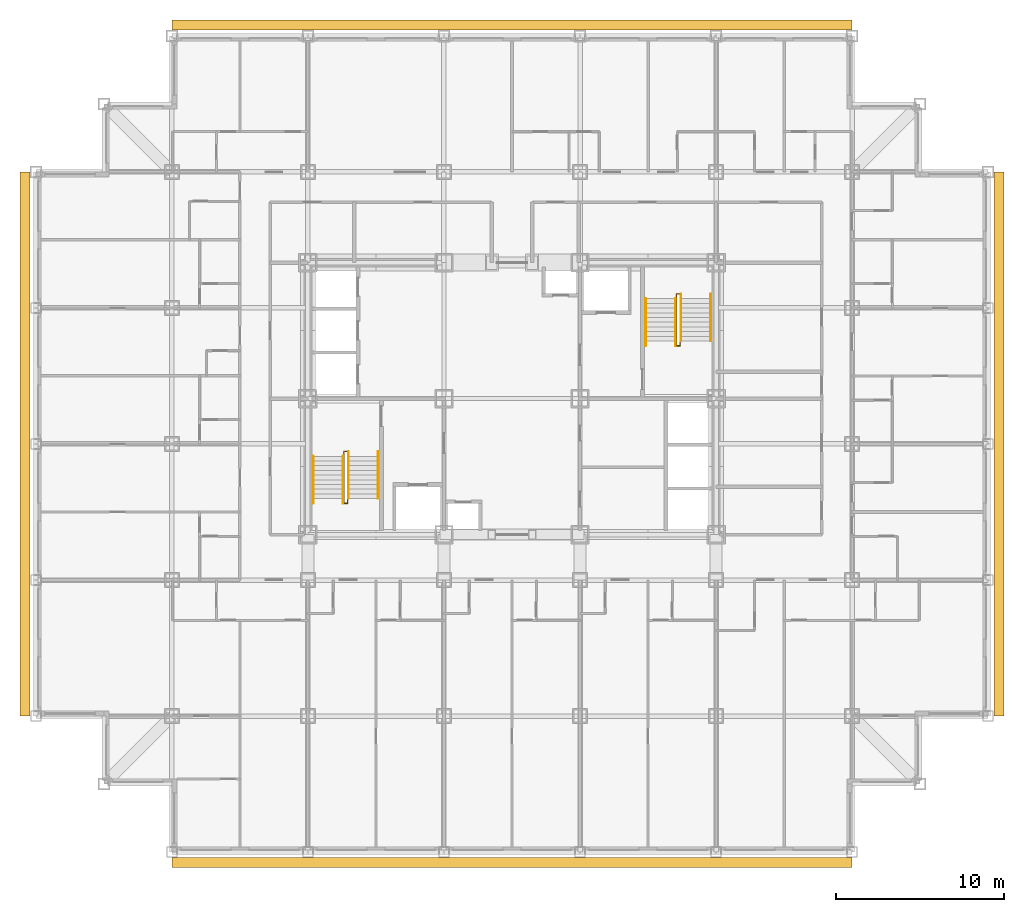
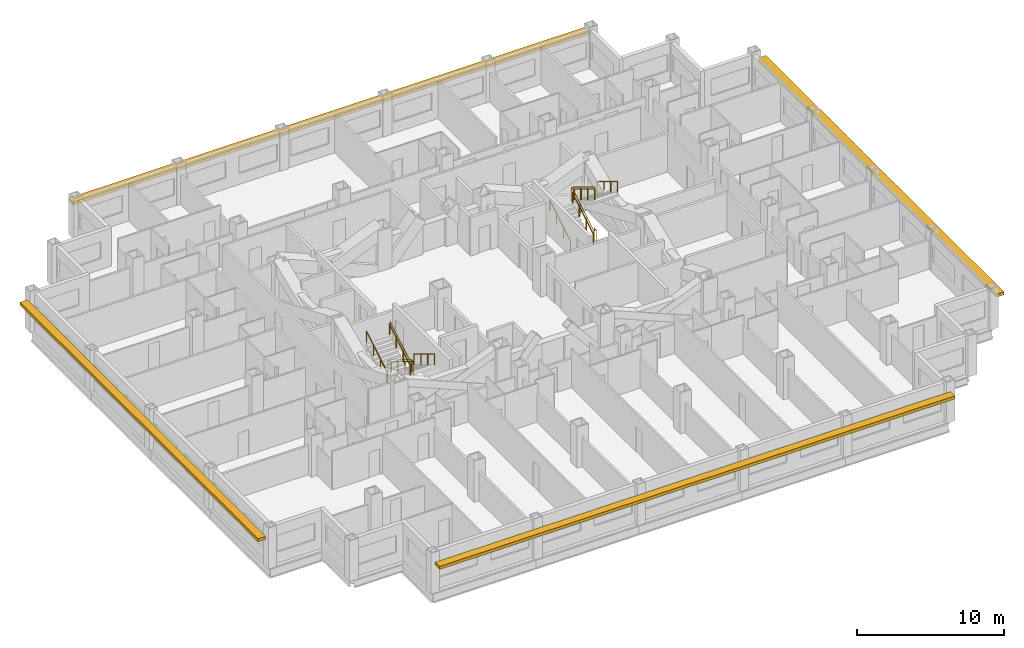
# One storey, part 12 of 12: 10 railings, 4 shading devices.
"""IFC4 building model written with IfcOpenShell, lengths in metres."""

from ifc_helpers import new_model, si_unit, direction, frame, origin, origin_2d, place, context, subcontext, project, spatial, rectangle, circle, extrude, material, type_object, element, save


model = new_model("IFC4")

# Units and contexts
model_context = context("Model", 3, precision=1e-05, world=origin(), true_north=direction((0.0, 1.0)))
body_context = subcontext(model_context, "Body", "Model", "MODEL_VIEW")
ifc_project = project(units=[si_unit("LENGTHUNIT", "METRE"), si_unit("AREAUNIT", "SQUARE_METRE"), si_unit("VOLUMEUNIT", "CUBIC_METRE"), si_unit("PLANEANGLEUNIT", "RADIAN"), si_unit("MASSUNIT", "GRAM", prefix="KILO")], contexts=[model_context])

# Site, building, storey
site_placement = place(None, origin())
site = spatial("IfcSite", under=ifc_project, at=site_placement, CompositionType="ELEMENT")
building_placement = place(site_placement, origin())
building = spatial("IfcBuilding", under=site, at=building_placement, Name="Kopane Lantern Tower", CompositionType="ELEMENT")
storey_placement = place(building_placement, frame((0.0, 0.0, 147.60009765625)))
storey = spatial("IfcBuildingStorey", under=building, at=storey_placement, Name="L38", CompositionType="ELEMENT", Elevation=147.60009765625)

# Railings
ifc_material_1 = material(Name="Steel", Category="steel")
railing_type_1 = type_object("IfcRailingType", Name="STAIR GUARD 1100", PredefinedType="GUARDRAIL", material=ifc_material_1)
railing_1_placement = place(storey_placement, frame((18.35009765625, 28.969970703125, 0.0)))
element("IfcRailing", 1, at=railing_1_placement, inside=storey, type_object=railing_type_1, Name="ST1 well guard L38", PredefinedType="GUARDRAIL", context=body_context, shape_type="SweptSolid", body=[
    extrude(circle(Radius=0.02392578125, at=origin_2d()), frame((0.0, 0.0, 1.076171875), z_axis=(0.0, 1.0, 0.0), x_axis=(-1.0, 0.0, 0.0)), (0.0, 0.0, 1.0), 0.280029296875),
    extrude(circle(Radius=0.02392578125, at=origin_2d()), frame((0.0, 0.280029296875, 1.076171875), z_axis=(1.0, 0.0, 0.0), x_axis=(0.0, 1.0, 0.0)), (0.0, 0.0, 1.0), 0.199951171875),
    extrude(circle(Radius=0.02392578125, at=origin_2d()), frame((0.199951171875, 0.280029296875, 1.076171875), z_axis=(0.0, -0.854798142509, 0.518960630071), x_axis=(1.0, 0.0, 0.0)), (0.0, 0.0, 1.0), 3.275634765625),
    extrude(circle(Radius=0.02392578125, at=origin_2d()), frame((0.199951171875, -2.52001953125, 2.77587890625), z_axis=(0.0, -1.0, 0.0), x_axis=(1.0, 0.0, 0.0)), (0.0, 0.0, 1.0), 0.280029296875),
    extrude(circle(Radius=0.02392578125, at=origin_2d()), frame((0.199951171875, -2.800048828125, 2.77587890625), z_axis=(-1.0, 0.0, 0.0), x_axis=(0.0, -1.0, 0.0)), (0.0, 0.0, 1.0), 0.199951171875),
    extrude(circle(Radius=0.02392578125, at=origin_2d()), frame((0.0, -2.800048828125, 2.77587890625), z_axis=(0.0, 0.854798142509, 0.518960630071), x_axis=(-1.0, 0.0, 0.0)), (0.0, 0.0, 1.0), 3.275634765625),
    extrude(circle(Radius=0.02099609375, at=origin_2d()), origin(), (0.0, 0.0, 1.0), 1.052001953125),
    extrude(circle(Radius=0.02099609375, at=origin_2d()), frame((0.0, 0.280029296875, 0.0)), (0.0, 0.0, 1.0), 1.052001953125),
    extrude(circle(Radius=0.02099609375, at=origin_2d()), frame((0.199951171875, 0.280029296875, 0.0)), (0.0, 0.0, 1.0), 1.052001953125),
    extrude(circle(Radius=0.02099609375, at=origin_2d()), frame((0.199951171875, -0.6533203125, 0.566650390625)), (0.0, 0.0, 1.0), 1.052001953125),
    extrude(circle(Radius=0.02099609375, at=origin_2d()), frame((0.199951171875, -1.586669921875, 1.13330078125)), (0.0, 0.0, 1.0), 1.052001953125),
    extrude(circle(Radius=0.02099609375, at=origin_2d()), frame((0.199951171875, -2.52001953125, 1.699951171875)), (0.0, 0.0, 1.0), 1.052001953125),
    extrude(circle(Radius=0.02099609375, at=origin_2d()), frame((0.199951171875, -2.800048828125, 1.699951171875)), (0.0, 0.0, 1.0), 1.052001953125),
    extrude(circle(Radius=0.02099609375, at=origin_2d()), frame((0.0, -2.800048828125, 1.699951171875)), (0.0, 0.0, 1.0), 1.052001953125),
    extrude(circle(Radius=0.02099609375, at=origin_2d()), frame((0.0, -1.86669921875, 2.2666015625)), (0.0, 0.0, 1.0), 1.052001953125),
    extrude(circle(Radius=0.02099609375, at=origin_2d()), frame((0.0, -0.933349609375, 2.833251953125)), (0.0, 0.0, 1.0), 1.052001953125),
    extrude(circle(Radius=0.02099609375, at=origin_2d()), frame((0.0, 0.0, 3.39990234375)), (0.0, 0.0, 1.0), 1.052001953125),
])
railing_2_placement = place(storey_placement, frame((38.35009765625, 35.830078125, 0.0)))
element("IfcRailing", 2, at=railing_2_placement, inside=storey, type_object=railing_type_1, Name="ST2 well guard L38", PredefinedType="GUARDRAIL", context=body_context, shape_type="SweptSolid", body=[
    extrude(circle(Radius=0.02392578125, at=origin_2d()), frame((0.0, 0.0, 1.076171875), z_axis=(0.0, -1.0, 0.0), x_axis=(1.0, 0.0, 0.0)), (0.0, 0.0, 1.0), 0.280029296875),
    extrude(circle(Radius=0.02392578125, at=origin_2d()), frame((0.0, -0.280029296875, 1.076171875), z_axis=(-1.0, 0.0, 0.0), x_axis=(0.0, -1.0, 0.0)), (0.0, 0.0, 1.0), 0.2001953125),
    extrude(circle(Radius=0.02392578125, at=origin_2d()), frame((-0.2001953125, -0.280029296875, 1.076171875), z_axis=(0.0, 0.854798142509, 0.518960630071), x_axis=(-1.0, 0.0, 0.0)), (0.0, 0.0, 1.0), 3.275634765625),
    extrude(circle(Radius=0.02392578125, at=origin_2d()), frame((-0.2001953125, 2.52001953125, 2.77587890625), z_axis=(0.0, 1.0, 0.0), x_axis=(-1.0, 0.0, 0.0)), (0.0, 0.0, 1.0), 0.27978515625),
    extrude(circle(Radius=0.02392578125, at=origin_2d()), frame((-0.2001953125, 2.7998046875, 2.77587890625), z_axis=(1.0, 0.0, 0.0), x_axis=(0.0, 1.0, 0.0)), (0.0, 0.0, 1.0), 0.2001953125),
    extrude(circle(Radius=0.02392578125, at=origin_2d()), frame((0.0, 2.7998046875, 2.77587890625), z_axis=(0.0, -0.854778067842, 0.518993694313), x_axis=(1.0, 0.0, 0.0)), (0.0, 0.0, 1.0), 3.275390625),
    extrude(circle(Radius=0.02099609375, at=origin_2d()), origin(), (0.0, 0.0, 1.0), 1.052001953125),
    extrude(circle(Radius=0.02099609375, at=origin_2d()), frame((0.0, -0.280029296875, 0.0)), (0.0, 0.0, 1.0), 1.052001953125),
    extrude(circle(Radius=0.02099609375, at=origin_2d()), frame((-0.2001953125, -0.280029296875, 0.0)), (0.0, 0.0, 1.0), 1.052001953125),
    extrude(circle(Radius=0.02099609375, at=origin_2d()), frame((-0.2001953125, 0.6533203125, 0.566650390625)), (0.0, 0.0, 1.0), 1.052001953125),
    extrude(circle(Radius=0.02099609375, at=origin_2d()), frame((-0.2001953125, 1.586669921875, 1.13330078125)), (0.0, 0.0, 1.0), 1.052001953125),
    extrude(circle(Radius=0.02099609375, at=origin_2d()), frame((-0.2001953125, 2.52001953125, 1.699951171875)), (0.0, 0.0, 1.0), 1.052001953125),
    extrude(circle(Radius=0.02099609375, at=origin_2d()), frame((-0.2001953125, 2.7998046875, 1.699951171875)), (0.0, 0.0, 1.0), 1.052001953125),
    extrude(circle(Radius=0.02099609375, at=origin_2d()), frame((0.0, 2.7998046875, 1.699951171875)), (0.0, 0.0, 1.0), 1.052001953125),
    extrude(circle(Radius=0.02099609375, at=origin_2d()), frame((0.0, 1.866455078125, 2.2666015625)), (0.0, 0.0, 1.0), 1.052001953125),
    extrude(circle(Radius=0.02099609375, at=origin_2d()), frame((0.0, 0.933349609375, 2.833251953125)), (0.0, 0.0, 1.0), 1.052001953125),
    extrude(circle(Radius=0.02099609375, at=origin_2d()), frame((0.0, 0.0, 3.39990234375)), (0.0, 0.0, 1.0), 1.052001953125),
])
ifc_material_2 = material(Name="Steel", Category="steel")
railing_type_2 = type_object("IfcRailingType", Name="STAIR HANDRAIL 900", PredefinedType="HANDRAIL", material=ifc_material_2)
for number, where, name in (
    (3, (20.389892578125, 29.25, 0.0), "ST1 handrail L38 flight 1"),
    (4, (18.610107421875, 29.25, 0.0), "ST1 handrail L38 flight 1"),
):
    element("IfcRailing", number, at=place(storey_placement, frame(where)), inside=storey, type_object=railing_type_2, Name=name, PredefinedType="HANDRAIL", context=body_context, shape_type="SweptSolid", body=[
        extrude(circle(Radius=0.02392578125, at=origin_2d()), frame((0.0, 0.0, 0.8759765625), z_axis=(0.0, -0.854798142509, 0.518960630071), x_axis=(1.0, 0.0, 0.0)), (0.0, 0.0, 1.0), 3.275634765625),
        extrude(circle(Radius=0.02099609375, at=origin_2d()), origin(), (0.0, 0.0, 1.0), 0.851806640625),
        extrude(circle(Radius=0.02099609375, at=origin_2d()), frame((0.0, -0.933349609375, 0.566650390625)), (0.0, 0.0, 1.0), 0.851806640625),
        extrude(circle(Radius=0.02099609375, at=origin_2d()), frame((0.0, -1.86669921875, 1.13330078125)), (0.0, 0.0, 1.0), 0.851806640625),
        extrude(circle(Radius=0.02099609375, at=origin_2d()), frame((0.0, -2.800048828125, 1.699951171875)), (0.0, 0.0, 1.0), 0.851806640625),
    ])
for number, where, name in (
    (5, (16.510009765625, 26.169921875, 1.699951171875), "ST1 handrail L38 flight 2"),
    (6, (18.2900390625, 26.169921875, 1.699951171875), "ST1 handrail L38 flight 2"),
    (7, (36.31005859375, 35.550048828125, 0.0), "ST2 handrail L38 flight 1"),
    (8, (38.090087890625, 35.550048828125, 0.0), "ST2 handrail L38 flight 1"),
):
    element("IfcRailing", number, at=place(storey_placement, frame(where)), inside=storey, type_object=railing_type_2, Name=name, PredefinedType="HANDRAIL", context=body_context, shape_type="SweptSolid", body=[
        extrude(circle(Radius=0.02392578125, at=origin_2d()), frame((0.0, 0.0, 0.8759765625), z_axis=(0.0, 0.854798142509, 0.518960630071), x_axis=(-1.0, 0.0, 0.0)), (0.0, 0.0, 1.0), 3.275634765625),
        extrude(circle(Radius=0.02099609375, at=origin_2d()), origin(), (0.0, 0.0, 1.0), 0.851806640625),
        extrude(circle(Radius=0.02099609375, at=origin_2d()), frame((0.0, 0.933349609375, 0.566650390625)), (0.0, 0.0, 1.0), 0.851806640625),
        extrude(circle(Radius=0.02099609375, at=origin_2d()), frame((0.0, 1.86669921875, 1.13330078125)), (0.0, 0.0, 1.0), 0.851806640625),
        extrude(circle(Radius=0.02099609375, at=origin_2d()), frame((0.0, 2.800048828125, 1.699951171875)), (0.0, 0.0, 1.0), 0.851806640625),
    ])
for number, where, name in (
    (9, (40.18994140625, 38.6298828125, 1.699951171875), "ST2 handrail L38 flight 2"),
    (10, (38.409912109375, 38.6298828125, 1.699951171875), "ST2 handrail L38 flight 2"),
):
    element("IfcRailing", number, at=place(storey_placement, frame(where)), inside=storey, type_object=railing_type_2, Name=name, PredefinedType="HANDRAIL", context=body_context, shape_type="SweptSolid", body=[
        extrude(circle(Radius=0.02392578125, at=origin_2d()), frame((0.0, 0.0, 0.8759765625), z_axis=(0.0, -0.854778067842, 0.518993694313), x_axis=(1.0, 0.0, 0.0)), (0.0, 0.0, 1.0), 3.275390625),
        extrude(circle(Radius=0.02099609375, at=origin_2d()), origin(), (0.0, 0.0, 1.0), 0.851806640625),
        extrude(circle(Radius=0.02099609375, at=origin_2d()), frame((0.0, -0.933349609375, 0.566650390625)), (0.0, 0.0, 1.0), 0.851806640625),
        extrude(circle(Radius=0.02099609375, at=origin_2d()), frame((0.0, -1.866455078125, 1.13330078125)), (0.0, 0.0, 1.0), 0.851806640625),
        extrude(circle(Radius=0.02099609375, at=origin_2d()), frame((0.0, -2.7998046875, 1.699951171875)), (0.0, 0.0, 1.0), 0.851806640625),
    ])

# Shading devices
ifc_material_3 = material(Name="Terracotta rainscreen on light steel framing", Category="masonry")
shading_device_type = type_object("IfcShadingDeviceType", Name="SUNSHADE BAND SB1 600 TERRACOTTA", PredefinedType="USERDEFINED", material=ifc_material_3)
shading_device_1_placement = place(storey_placement, frame((28.35009765625, 4.77490234375, 2.2998046875), z_axis=(0.0, 0.0, 1.0), x_axis=(1.0, 0.0, 0.0)))
element("IfcShadingDevice", 11, at=shading_device_1_placement, inside=storey, type_object=shading_device_type, Name="Sunshade band S L38", ObjectType="SUNSHADE BAND", PredefinedType="USERDEFINED", context=body_context, shape_type="SweptSolid", body=[
    extrude(rectangle(XDim=40.5, YDim=0.60009765625, at=origin_2d()), origin(), (0.0, 0.0, 1.0), 0.25),
])
shading_device_2_placement = place(storey_placement, frame((57.35009765625, 29.699951171875, 2.2998046875), z_axis=(0.0, 0.0, 1.0), x_axis=(0.0, 1.0, 0.0)))
element("IfcShadingDevice", 12, at=shading_device_2_placement, inside=storey, type_object=shading_device_type, Name="Sunshade band E L38", ObjectType="SUNSHADE BAND", PredefinedType="USERDEFINED", context=body_context, shape_type="SweptSolid", body=[
    extrude(rectangle(XDim=32.39990234375, YDim=0.60009765625, at=origin_2d()), origin(), (0.0, 0.0, 1.0), 0.25),
])
shading_device_3_placement = place(storey_placement, frame((28.35009765625, 54.64990234375, 2.2998046875), z_axis=(0.0, 0.0, 1.0), x_axis=(-1.0, 0.0, 0.0)))
element("IfcShadingDevice", 13, at=shading_device_3_placement, inside=storey, type_object=shading_device_type, Name="Sunshade band N L38", ObjectType="SUNSHADE BAND", PredefinedType="USERDEFINED", context=body_context, shape_type="SweptSolid", body=[
    extrude(rectangle(XDim=40.5, YDim=0.60009765625, at=origin_2d()), origin(), (0.0, 0.0, 1.0), 0.25),
])
shading_device_4_placement = place(storey_placement, frame((-0.64990234375, 29.699951171875, 2.2998046875), z_axis=(0.0, 0.0, 1.0), x_axis=(0.0, -1.0, 0.0)))
element("IfcShadingDevice", 14, at=shading_device_4_placement, inside=storey, type_object=shading_device_type, Name="Sunshade band W L38", ObjectType="SUNSHADE BAND", PredefinedType="USERDEFINED", context=body_context, shape_type="SweptSolid", body=[
    extrude(rectangle(XDim=32.39990234375, YDim=0.60009765625, at=origin_2d()), origin(), (0.0, 0.0, 1.0), 0.25),
])

save(model, "model.ifc")
